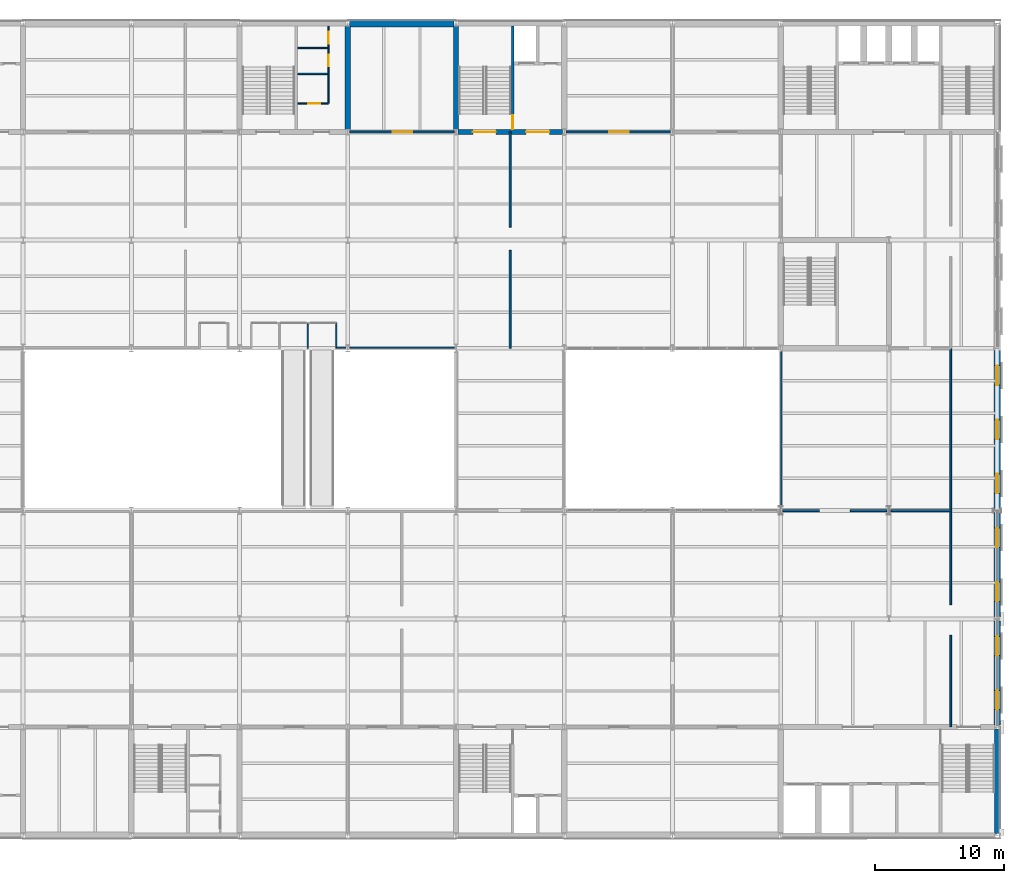
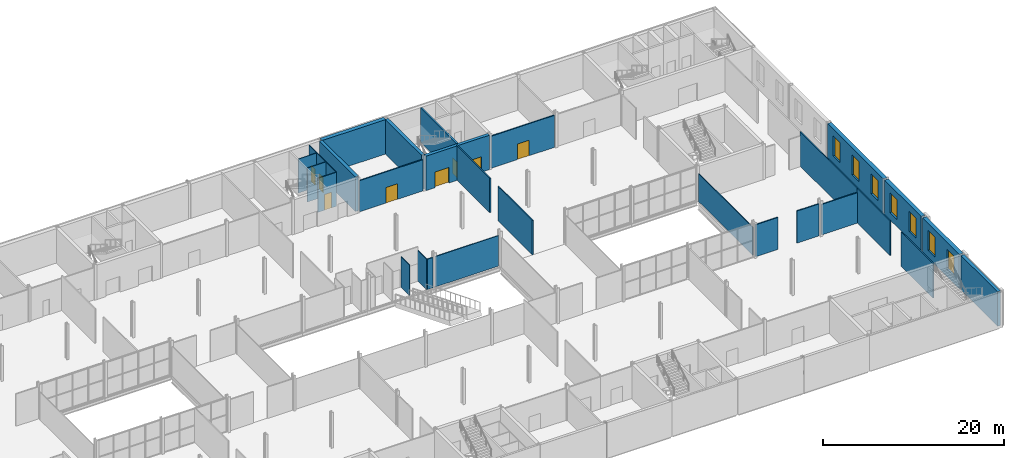
# One storey, part 33 of 52: 30 walls, 8 doors, 7 windows, 15 openings.
"""IFC4 building model written with IfcOpenShell, lengths in metres."""

from ifc_helpers import new_model, si_unit, direction, frame, frame_2d, origin, place, context, subcontext, project, spatial, rectangle, extrude, material, layer, layer_set, type_object, element, fill, save


model = new_model("IFC4")

# Units and contexts
model_context = context("Model", 3, precision=1e-05, world=origin(), true_north=direction((0.0, 1.0)))
body_context = subcontext(model_context, "Body", "Model", "MODEL_VIEW")
ifc_project = project(units=[si_unit("LENGTHUNIT", "METRE"), si_unit("AREAUNIT", "SQUARE_METRE"), si_unit("VOLUMEUNIT", "CUBIC_METRE"), si_unit("PLANEANGLEUNIT", "RADIAN"), si_unit("MASSUNIT", "GRAM", prefix="KILO")], contexts=[model_context])

# Site, building, storey
site_placement = place(None, origin())
site = spatial("IfcSite", under=ifc_project, at=site_placement, CompositionType="ELEMENT")
building_placement = place(site_placement, origin())
building = spatial("IfcBuilding", under=site, at=building_placement, Name="Galleria Vessillo Department Store", CompositionType="ELEMENT")
storey_placement = place(building_placement, frame((0.0, 0.0, 16.199951171875)))
storey = spatial("IfcBuildingStorey", under=building, at=storey_placement, Name="L03", CompositionType="ELEMENT", Elevation=16.199951171875)

# Walls
ifc_material_1 = material(Name="Fire-resisting glass in steel frame S355 J2", Category="steel")
ifc_layer_1 = layer(ifc_material_1, 0.10009765625)
ifc_layer_set_1 = layer_set([ifc_layer_1], Name="Fire-resisting glass in steel frame S355 J2")
wall_type_1 = type_object("IfcWallType", Name="Fire-resisting glazed screen EI 120-Sa 100 mm", PredefinedType="PARTITIONING", material=ifc_layer_set_1)
wall_1_placement = place(storey_placement, frame((66.349853515625, 37.85009765625, 0.0), z_axis=(0.0, 0.0, 1.0), x_axis=(1.0, 0.0, 0.0)))
element("IfcWall", 1, at=wall_1_placement, inside=storey, type_object=wall_type_1, Name="Fire screen, atrium edge L03", PredefinedType="PARTITIONING", context=body_context, shape_type="SweptSolid", body=[
    extrude(rectangle(XDim=0.697265625, YDim=0.10009765625, at=frame_2d((0.3486328125, 0.0))), origin(), (0.0, 0.0, 1.0), 4.110107421875),
])
wall_2_placement = place(storey_placement, frame((67.35302734375, 37.85009765625, 0.0), z_axis=(0.0, 0.0, 1.0), x_axis=(1.0, 0.0, 0.0)))
element("IfcWall", 2, at=wall_2_placement, inside=storey, type_object=wall_type_1, Name="Fire screen, atrium edge L03", PredefinedType="PARTITIONING", context=body_context, shape_type="SweptSolid", body=[
    extrude(rectangle(XDim=8.094482421875, YDim=0.10009765625, at=frame_2d((4.04736328125, 0.0))), origin(), (0.0, 0.0, 1.0), 4.110107421875),
])
wall_3_placement = place(storey_placement, frame((100.85009765625, 25.533935546875, 0.0), z_axis=(0.0, 0.0, 1.0), x_axis=(0.0, 1.0, 0.0)))
element("IfcWall", 3, at=wall_3_placement, inside=storey, type_object=wall_type_1, Name="Fire screen, arcade end L03", PredefinedType="PARTITIONING", context=body_context, shape_type="SweptSolid", body=[
    extrude(rectangle(XDim=12.027099609375, YDim=0.10009765625, at=frame_2d((6.013671875, 0.0))), origin(), (0.0, 0.0, 1.0), 3.760009765625),
])
wall_4_placement = place(storey_placement, frame((64.10009765625, 37.800048828125, 0.0), z_axis=(0.0, 0.0, 1.0), x_axis=(0.0, 1.0, 0.0)))
element("IfcWall", 4, at=wall_4_placement, inside=storey, type_object=wall_type_1, Name="Fire screen, landing alcove side L03", PredefinedType="PARTITIONING", context=body_context, shape_type="SweptSolid", body=[
    extrude(rectangle(XDim=1.89990234375, YDim=0.10009765625, at=frame_2d((0.949951171875, 0.0))), origin(), (0.0, 0.0, 1.0), 4.110107421875),
])
wall_5_placement = place(storey_placement, frame((66.2998046875, 37.800048828125, 0.0), z_axis=(0.0, 0.0, 1.0), x_axis=(0.0, 1.0, 0.0)))
element("IfcWall", 5, at=wall_5_placement, inside=storey, type_object=wall_type_1, Name="Fire screen, landing alcove side L03", PredefinedType="PARTITIONING", context=body_context, shape_type="SweptSolid", body=[
    extrude(rectangle(XDim=2.0, YDim=0.10009765625, at=frame_2d((1.0, 0.0))), origin(), (0.0, 0.0, 1.0), 4.110107421875),
])

# Wall, openings, windows
ifc_material_2 = material(Name="Reinforced masonry, limestone units 80 MPa", Category="masonry")
ifc_layer_2 = layer(ifc_material_2, 0.5)
ifc_layer_set_2 = layer_set([ifc_layer_2], Name="Reinforced masonry, limestone units 80 MPa")
wall_type_2 = type_object("IfcWallType", Name="Load-bearing limestone-faced wall 500 mm", PredefinedType="STANDARD", material=ifc_layer_set_2)
wall_6_placement = place(storey_placement, frame((117.60009765625, 8.5498046875, 0.0), z_axis=(0.0, 0.0, 1.0), x_axis=(0.0, 1.0, 0.0)))
wall_6 = element("IfcWall", 6, at=wall_6_placement, inside=storey, type_object=wall_type_2, Name="Load-bearing limestone-faced wall 500 mm SE-L03-01", PredefinedType="STANDARD", context=body_context, shape_type="SweptSolid", body=[
    extrude(rectangle(XDim=8.100341796875, YDim=0.5, at=frame_2d((4.05029296875, 0.0))), origin(), (0.0, 0.0, 1.0), 4.650146484375),
])
opening_1_placement = place(wall_6_placement, frame((1.2001953125, 0.0, 1.0)))
opening_1 = element("IfcOpeningElement", 7, at=opening_1_placement, cuts=wall_6, Name="Opening W028", PredefinedType="OPENING", context=body_context, shape_type="SweptSolid", body=[
    extrude(rectangle(XDim=1.5, YDim=2.699951171875, at=frame_2d((0.75, 1.35009765625))), frame((0.0, 0.260009765625, 0.0), z_axis=(0.0, -1.0, 0.0), x_axis=(1.0, 0.0, 0.0)), (0.0, 0.0, 1.0), 0.52001953125),
])
opening_2_placement = place(wall_6_placement, frame((5.400146484375, 0.0, 1.0)))
opening_2 = element("IfcOpeningElement", 8, at=opening_2_placement, cuts=wall_6, Name="Opening W029", PredefinedType="OPENING", context=body_context, shape_type="SweptSolid", body=[
    extrude(rectangle(XDim=1.5, YDim=2.699951171875, at=frame_2d((0.75, 1.35009765625))), frame((0.0, 0.260009765625, 0.0), z_axis=(0.0, -1.0, 0.0), x_axis=(1.0, 0.0, 0.0)), (0.0, 0.0, 1.0), 0.52001953125),
])
ifc_material_3 = material(Name="Aluminium frame with laminated glass 44.2", Category="aluminium")
window_type = type_object("IfcWindowType", Name="Second order window 1500 x 2700", PartitioningType="SINGLE_PANEL", PredefinedType="WINDOW", material=ifc_material_3)
window_1_placement = place(opening_1_placement, origin())
window_1 = element("IfcWindow", 9, at=window_1_placement, inside=storey, type_object=window_type, Name="E-WIN-SE-L03-01-028", OverallHeight=2.699951171875, OverallWidth=1.5, PartitioningType="SINGLE_PANEL", PredefinedType="WINDOW", context=body_context, shape_type="SweptSolid", body=[
    extrude(rectangle(XDim=1.5, YDim=2.699951171875, at=frame_2d((0.75, 1.35009765625))), frame((0.0, 0.030029296875, 0.0), z_axis=(0.0, -1.0, 0.0), x_axis=(1.0, 0.0, 0.0)), (0.0, 0.0, 1.0), 0.06005859375),
])
fill(opening_1, window_1)
window_2_placement = place(opening_2_placement, origin())
window_2 = element("IfcWindow", 10, at=window_2_placement, inside=storey, type_object=window_type, Name="E-WIN-SE-L03-01-029", OverallHeight=2.699951171875, OverallWidth=1.5, PartitioningType="SINGLE_PANEL", PredefinedType="WINDOW", context=body_context, shape_type="SweptSolid", body=[
    extrude(rectangle(XDim=1.5, YDim=2.699951171875, at=frame_2d((0.75, 1.35009765625))), frame((0.0, 0.030029296875, 0.0), z_axis=(0.0, -1.0, 0.0), x_axis=(1.0, 0.0, 0.0)), (0.0, 0.0, 1.0), 0.06005859375),
])
fill(opening_2, window_2)

wall_7_placement = place(storey_placement, frame((117.60009765625, 16.949951171875, 0.0), z_axis=(0.0, 0.0, 1.0), x_axis=(0.0, 1.0, 0.0)))
wall_7 = element("IfcWall", 11, at=wall_7_placement, inside=storey, type_object=wall_type_2, Name="Load-bearing limestone-faced wall 500 mm SE-L03-02", PredefinedType="STANDARD", context=body_context, shape_type="SweptSolid", body=[
    extrude(rectangle(XDim=8.097412109375, YDim=0.5, at=frame_2d((4.048828125, 0.0))), origin(), (0.0, 0.0, 1.0), 4.650146484375),
])
opening_3_placement = place(wall_7_placement, frame((1.199951171875, 0.0, 1.0)))
opening_3 = element("IfcOpeningElement", 12, at=opening_3_placement, cuts=wall_7, Name="Opening W030", PredefinedType="OPENING", context=body_context, shape_type="SweptSolid", body=[
    extrude(rectangle(XDim=1.5, YDim=2.699951171875, at=frame_2d((0.75, 1.35009765625))), frame((0.0, 0.260009765625, 0.0), z_axis=(0.0, -1.0, 0.0), x_axis=(1.0, 0.0, 0.0)), (0.0, 0.0, 1.0), 0.52001953125),
])
opening_4_placement = place(wall_7_placement, frame((5.400146484375, 0.0, 1.0)))
opening_4 = element("IfcOpeningElement", 13, at=opening_4_placement, cuts=wall_7, Name="Opening W031", PredefinedType="OPENING", context=body_context, shape_type="SweptSolid", body=[
    extrude(rectangle(XDim=1.5, YDim=2.699951171875, at=frame_2d((0.75, 1.35009765625))), frame((0.0, 0.260009765625, 0.0), z_axis=(0.0, -1.0, 0.0), x_axis=(1.0, 0.0, 0.0)), (0.0, 0.0, 1.0), 0.52001953125),
])
window_3_placement = place(opening_3_placement, origin())
window_3 = element("IfcWindow", 14, at=window_3_placement, inside=storey, type_object=window_type, Name="E-WIN-SE-L03-02-030", OverallHeight=2.699951171875, OverallWidth=1.5, PartitioningType="SINGLE_PANEL", PredefinedType="WINDOW", context=body_context, shape_type="SweptSolid", body=[
    extrude(rectangle(XDim=1.5, YDim=2.699951171875, at=frame_2d((0.75, 1.35009765625))), frame((0.0, 0.030029296875, 0.0), z_axis=(0.0, -1.0, 0.0), x_axis=(1.0, 0.0, 0.0)), (0.0, 0.0, 1.0), 0.06005859375),
])
fill(opening_3, window_3)
window_4_placement = place(opening_4_placement, origin())
window_4 = element("IfcWindow", 15, at=window_4_placement, inside=storey, type_object=window_type, Name="E-WIN-SE-L03-02-031", OverallHeight=2.699951171875, OverallWidth=1.5, PartitioningType="SINGLE_PANEL", PredefinedType="WINDOW", context=body_context, shape_type="SweptSolid", body=[
    extrude(rectangle(XDim=1.5, YDim=2.699951171875, at=frame_2d((0.75, 1.35009765625))), frame((0.0, 0.030029296875, 0.0), z_axis=(0.0, -1.0, 0.0), x_axis=(1.0, 0.0, 0.0)), (0.0, 0.0, 1.0), 0.06005859375),
])
fill(opening_4, window_4)

wall_8_placement = place(storey_placement, frame((117.60009765625, 25.3525390625, 0.0), z_axis=(0.0, 0.0, 1.0), x_axis=(0.0, 1.0, 0.0)))
wall_8 = element("IfcWall", 16, at=wall_8_placement, inside=storey, type_object=wall_type_2, Name="Load-bearing limestone-faced wall 500 mm SE-L03-03", PredefinedType="STANDARD", context=body_context, shape_type="SweptSolid", body=[
    extrude(rectangle(XDim=12.2939453125, YDim=0.5, at=frame_2d((6.14697265625, 0.0))), origin(), (0.0, 0.0, 1.0), 4.650146484375),
])
opening_5_placement = place(wall_8_placement, frame((1.197509765625, 0.0, 1.0)))
opening_5 = element("IfcOpeningElement", 17, at=opening_5_placement, cuts=wall_8, Name="Opening W032", PredefinedType="OPENING", context=body_context, shape_type="SweptSolid", body=[
    extrude(rectangle(XDim=1.5, YDim=2.699951171875, at=frame_2d((0.75, 1.35009765625))), frame((0.0, 0.260009765625, 0.0), z_axis=(0.0, -1.0, 0.0), x_axis=(1.0, 0.0, 0.0)), (0.0, 0.0, 1.0), 0.52001953125),
])
opening_6_placement = place(wall_8_placement, frame((5.3974609375, 0.0, 1.0)))
opening_6 = element("IfcOpeningElement", 18, at=opening_6_placement, cuts=wall_8, Name="Opening W033", PredefinedType="OPENING", context=body_context, shape_type="SweptSolid", body=[
    extrude(rectangle(XDim=1.5, YDim=2.699951171875, at=frame_2d((0.75, 1.35009765625))), frame((0.0, 0.260009765625, 0.0), z_axis=(0.0, -1.0, 0.0), x_axis=(1.0, 0.0, 0.0)), (0.0, 0.0, 1.0), 0.52001953125),
])
opening_7_placement = place(wall_8_placement, frame((9.597412109375, 0.0, 1.0)))
opening_7 = element("IfcOpeningElement", 19, at=opening_7_placement, cuts=wall_8, Name="Opening W034", PredefinedType="OPENING", context=body_context, shape_type="SweptSolid", body=[
    extrude(rectangle(XDim=1.5, YDim=2.699951171875, at=frame_2d((0.75, 1.35009765625))), frame((0.0, 0.260009765625, 0.0), z_axis=(0.0, -1.0, 0.0), x_axis=(1.0, 0.0, 0.0)), (0.0, 0.0, 1.0), 0.52001953125),
])
window_5_placement = place(opening_5_placement, origin())
window_5 = element("IfcWindow", 20, at=window_5_placement, inside=storey, type_object=window_type, Name="E-WIN-SE-L03-03-032", OverallHeight=2.699951171875, OverallWidth=1.5, PartitioningType="SINGLE_PANEL", PredefinedType="WINDOW", context=body_context, shape_type="SweptSolid", body=[
    extrude(rectangle(XDim=1.5, YDim=2.699951171875, at=frame_2d((0.75, 1.35009765625))), frame((0.0, 0.030029296875, 0.0), z_axis=(0.0, -1.0, 0.0), x_axis=(1.0, 0.0, 0.0)), (0.0, 0.0, 1.0), 0.06005859375),
])
fill(opening_5, window_5)
window_6_placement = place(opening_6_placement, origin())
window_6 = element("IfcWindow", 21, at=window_6_placement, inside=storey, type_object=window_type, Name="E-WIN-SE-L03-03-033", OverallHeight=2.699951171875, OverallWidth=1.5, PartitioningType="SINGLE_PANEL", PredefinedType="WINDOW", context=body_context, shape_type="SweptSolid", body=[
    extrude(rectangle(XDim=1.5, YDim=2.699951171875, at=frame_2d((0.75, 1.35009765625))), frame((0.0, 0.030029296875, 0.0), z_axis=(0.0, -1.0, 0.0), x_axis=(1.0, 0.0, 0.0)), (0.0, 0.0, 1.0), 0.06005859375),
])
fill(opening_6, window_6)
window_7_placement = place(opening_7_placement, origin())
window_7 = element("IfcWindow", 22, at=window_7_placement, inside=storey, type_object=window_type, Name="E-WIN-SE-L03-03-034", OverallHeight=2.699951171875, OverallWidth=1.5, PartitioningType="SINGLE_PANEL", PredefinedType="WINDOW", context=body_context, shape_type="SweptSolid", body=[
    extrude(rectangle(XDim=1.5, YDim=2.699951171875, at=frame_2d((0.75, 1.35009765625))), frame((0.0, 0.030029296875, 0.0), z_axis=(0.0, -1.0, 0.0), x_axis=(1.0, 0.0, 0.0)), (0.0, 0.0, 1.0), 0.06005859375),
])
fill(opening_7, window_7)

# Wall, openings, doors
ifc_material_4 = material(Name="Concrete C32/40 reinforced", Category="concrete")
ifc_layer_3 = layer(ifc_material_4, 0.39990234375)
ifc_layer_set_3 = layer_set([ifc_layer_3], Name="Concrete C32/40 reinforced")
wall_type_3 = type_object("IfcWallType", Name="Reinforced concrete core wall 400 mm", PredefinedType="SHEAR", material=ifc_layer_set_3)
wall_9_placement = place(storey_placement, frame((75.75, 54.60009765625, 0.0), z_axis=(0.0, 0.0, 1.0), x_axis=(1.0, 0.0, 0.0)))
wall_9 = element("IfcWall", 23, at=wall_9_placement, inside=storey, type_object=wall_type_3, Name="S-CW-PC-NE-INTERIOR-L03", PredefinedType="SHEAR", context=body_context, shape_type="SweptSolid", body=[
    extrude(rectangle(XDim=8.096435546875, YDim=0.39990234375, at=frame_2d((4.04833984375, 0.0))), origin(), (0.0, 0.0, 1.0), 4.650146484375),
])
opening_8_placement = place(wall_9_placement, frame((1.14990234375, 0.0, 0.0)))
opening_8 = element("IfcOpeningElement", 24, at=opening_8_placement, cuts=wall_9, Name="Opening D5179", PredefinedType="OPENING", context=body_context, shape_type="SweptSolid", body=[
    extrude(rectangle(XDim=1.800048828125, YDim=2.10009765625, at=frame_2d((0.89990234375, 1.050048828125))), frame((0.0, 0.2099609375, 0.0), z_axis=(0.0, -1.0, 0.0), x_axis=(1.0, 0.0, 0.0)), (0.0, 0.0, 1.0), 0.419921875),
])
opening_9_placement = place(wall_9_placement, frame((5.2998046875, 0.0, 0.0)))
opening_9 = element("IfcOpeningElement", 25, at=opening_9_placement, cuts=wall_9, Name="Opening D5180", PredefinedType="OPENING", context=body_context, shape_type="SweptSolid", body=[
    extrude(rectangle(XDim=1.800048828125, YDim=2.10009765625, at=frame_2d((0.89990234375, 1.050048828125))), frame((0.0, 0.2099609375, 0.0), z_axis=(0.0, -1.0, 0.0), x_axis=(1.0, 0.0, 0.0)), (0.0, 0.0, 1.0), 0.419921875),
])
ifc_material_5 = material(Name="Fire-rated steel door leaf", Category="steel")
door_type_1 = type_object("IfcDoorType", Name="Door D180F double leaf 1800 x 2100", OperationType="DOUBLE_DOOR_SINGLE_SWING", PredefinedType="DOOR", material=ifc_material_5)
door_1_placement = place(opening_8_placement, origin())
door_1 = element("IfcDoor", 26, at=door_1_placement, inside=storey, type_object=door_type_1, Name="Lobby door PC-NE-ST-FLOOR L03", OperationType="DOUBLE_DOOR_SINGLE_SWING", OverallHeight=2.10009765625, OverallWidth=1.800048828125, PredefinedType="DOOR", context=body_context, shape_type="SweptSolid", body=[
    extrude(rectangle(XDim=1.800048828125, YDim=2.10009765625, at=frame_2d((0.89990234375, 1.050048828125))), frame((0.0, 0.02490234375, 0.0), z_axis=(0.0, -1.0, 0.0), x_axis=(1.0, 0.0, 0.0)), (0.0, 0.0, 1.0), 0.050048828125),
])
fill(opening_8, door_1)
door_2_placement = place(opening_9_placement, origin())
door_2 = element("IfcDoor", 27, at=door_2_placement, inside=storey, type_object=door_type_1, Name="Lobby door PC-NE-LOBBY-FLOOR L03", OperationType="DOUBLE_DOOR_SINGLE_SWING", OverallHeight=2.10009765625, OverallWidth=1.800048828125, PredefinedType="DOOR", context=body_context, shape_type="SweptSolid", body=[
    extrude(rectangle(XDim=1.800048828125, YDim=2.10009765625, at=frame_2d((0.89990234375, 1.050048828125))), frame((0.0, 0.02490234375, 0.0), z_axis=(0.0, -1.0, 0.0), x_axis=(1.0, 0.0, 0.0)), (0.0, 0.0, 1.0), 0.050048828125),
])
fill(opening_9, door_2)

# Walls
for number, where, z_axis, x_axis, name in (
    (28, (75.60009765625, 54.800048828125, 0.0), (0.0, 0.0, 1.0), (0.0, 1.0, 0.0), "S-CW-PC-NE-WEST-L03"),
    (29, (67.199951171875, 54.800048828125, 0.0), (0.0, 0.0, 1.0), (0.0, 1.0, 0.0), "S-CW-PC-NC-EAST-L03"),
):
    element("IfcWall", number, at=place(storey_placement, frame(where, z_axis=z_axis, x_axis=x_axis)), inside=storey, type_object=wall_type_3, Name=name, PredefinedType="SHEAR", context=body_context, shape_type="SweptSolid", body=[
        extrude(rectangle(XDim=8.0, YDim=0.39990234375, at=frame_2d((4.0, 0.0))), origin(), (0.0, 0.0, 1.0), 4.650146484375),
    ])
ifc_material_6 = material(Name="Concrete C32/40 reinforced", Category="concrete")
ifc_layer_4 = layer(ifc_material_6, 0.39990234375)
ifc_layer_set_4 = layer_set([ifc_layer_4], Name="Concrete C32/40 reinforced")
wall_type_4 = type_object("IfcWallType", Name="Reinforced concrete core wall 400 mm, external", PredefinedType="SHEAR", material=ifc_layer_set_4)
wall_10_placement = place(storey_placement, frame((117.60009765625, 0.14990234375, 0.0), z_axis=(0.0, 0.0, 1.0), x_axis=(0.0, 1.0, 0.0)))
element("IfcWall", 30, at=wall_10_placement, inside=storey, type_object=wall_type_4, Name="S-CW-GC-EAST-L03", PredefinedType="SHEAR", context=body_context, shape_type="SweptSolid", body=[
    extrude(rectangle(XDim=8.10009765625, YDim=0.39990234375, at=frame_2d((4.050048828125, 0.0))), origin(), (0.0, 0.0, 1.0), 4.650146484375),
])
ifc_material_7 = material(Name="Concrete C32/40 reinforced", Category="concrete")
ifc_layer_5 = layer(ifc_material_7, 0.5)
ifc_layer_set_5 = layer_set([ifc_layer_5], Name="Concrete C32/40 reinforced")
wall_type_5 = type_object("IfcWallType", Name="Reinforced concrete party wall 500 mm", PredefinedType="SHEAR", material=ifc_layer_set_5)
wall_11_placement = place(storey_placement, frame((67.349853515625, 63.0, 0.0), z_axis=(0.0, 0.0, 1.0), x_axis=(1.0, 0.0, 0.0)))
element("IfcWall", 31, at=wall_11_placement, inside=storey, type_object=wall_type_5, Name="S-PN-L03-06", PredefinedType="SHEAR", context=body_context, shape_type="SweptSolid", body=[
    extrude(rectangle(XDim=8.100341796875, YDim=0.5, at=frame_2d((4.05029296875, 0.0))), origin(), (0.0, 0.0, 1.0), 4.650146484375),
])

# Wall, opening, door
ifc_material_8 = material(Name="Concrete C32/40 reinforced", Category="concrete")
ifc_layer_6 = layer(ifc_material_8, 0.199951171875)
ifc_layer_set_6 = layer_set([ifc_layer_6], Name="Concrete C32/40 reinforced")
wall_type_6 = type_object("IfcWallType", Name="Reinforced concrete stair enclosure wall 200 mm", PredefinedType="SHEAR", material=ifc_layer_set_6)
wall_12_placement = place(storey_placement, frame((80.0, 62.800048828125, 0.0), z_axis=(0.0, 0.0, 1.0), x_axis=(0.0, -1.0, 0.0)))
wall_12 = element("IfcWall", 32, at=wall_12_placement, inside=storey, type_object=wall_type_6, Name="Stair enclosure wall PC-NE L03", PredefinedType="SHEAR", context=body_context, shape_type="SweptSolid", body=[
    extrude(rectangle(XDim=8.0, YDim=0.199951171875, at=frame_2d((4.0, 0.0))), origin(), (0.0, 0.0, 1.0), 4.650146484375),
])
opening_10_placement = place(wall_12_placement, frame((6.89990234375, 0.0, 0.0)))
opening_10 = element("IfcOpeningElement", 33, at=opening_10_placement, cuts=wall_12, Name="Opening D5177", PredefinedType="OPENING", context=body_context, shape_type="SweptSolid", body=[
    extrude(rectangle(XDim=1.11009765625, YDim=2.10009765625, at=frame_2d((0.554931640625, 1.050048828125))), frame((0.0, 0.10986328125, 0.0), z_axis=(0.0, -1.0, 0.0), x_axis=(1.0, 0.0, 0.0)), (0.0, 0.0, 1.0), 0.219970703125),
])
ifc_material_9 = material(Name="Fire-rated steel door leaf", Category="steel")
door_type_2 = type_object("IfcDoorType", Name="Door D110F stair door 1100 x 2100", OperationType="SINGLE_SWING_LEFT", PredefinedType="DOOR", material=ifc_material_9)
door_3_placement = place(opening_10_placement, frame((1.10009765625, 0.0, 0.0), z_axis=(0.0, 0.0, 1.0), x_axis=(-1.0, 0.0, 0.0)))
door_3 = element("IfcDoor", 34, at=door_3_placement, inside=storey, type_object=door_type_2, Name="Stair door PC-NE-ST-LOBBY L03", OperationType="SINGLE_SWING_LEFT", OverallHeight=2.10009765625, OverallWidth=1.10009765625, PredefinedType="DOOR", context=body_context, shape_type="SweptSolid", body=[
    extrude(rectangle(XDim=1.10009765625, YDim=2.10009765625, at=frame_2d((0.550048828125, 1.050048828125))), frame((0.0, 0.02490234375, 0.0), z_axis=(0.0, -1.0, 0.0), x_axis=(1.0, 0.0, 0.0)), (0.0, 0.0, 1.0), 0.050048828125),
])
fill(opening_10, door_3)

# Walls
ifc_material_10 = material(Name="Gypsum board partition")
ifc_layer_7 = layer(ifc_material_10, 0.139892578125)
ifc_layer_set_7 = layer_set([ifc_layer_7], Name="Gypsum board partition")
wall_type_7 = type_object("IfcWallType", Name="Sales dividing wall 140 mm", PredefinedType="PARTITIONING", material=ifc_layer_set_7)
wall_13_placement = place(storey_placement, frame((100.95263671875, 25.199951171875, 0.0), z_axis=(0.0, 0.0, 1.0), x_axis=(1.0, 0.0, 0.0)))
element("IfcWall", 35, at=wall_13_placement, inside=storey, type_object=wall_type_7, Name="Partition wall PT3 on L03 no. 056", PredefinedType="PARTITIONING", context=body_context, shape_type="SweptSolid", body=[
    extrude(rectangle(XDim=2.849853515625, YDim=0.139892578125, at=frame_2d((1.4248046875, 0.0))), origin(), (0.0, 0.0, 1.0), 4.320068359375),
])
wall_14_placement = place(storey_placement, frame((106.20263671875, 25.199951171875, 0.0), z_axis=(0.0, 0.0, 1.0), x_axis=(1.0, 0.0, 0.0)))
element("IfcWall", 36, at=wall_14_placement, inside=storey, type_object=wall_type_7, Name="Partition wall PT3 on L03 no. 057", PredefinedType="PARTITIONING", context=body_context, shape_type="SweptSolid", body=[
    extrude(rectangle(XDim=2.8447265625, YDim=0.139892578125, at=frame_2d((1.42236328125, 0.0))), origin(), (0.0, 0.0, 1.0), 4.320068359375),
])
wall_15_placement = place(storey_placement, frame((109.3525390625, 25.199951171875, 0.0), z_axis=(0.0, 0.0, 1.0), x_axis=(1.0, 0.0, 0.0)))
element("IfcWall", 37, at=wall_15_placement, inside=storey, type_object=wall_type_7, Name="Partition wall PT3 on L03 no. 058", PredefinedType="PARTITIONING", context=body_context, shape_type="SweptSolid", body=[
    extrude(rectangle(XDim=4.6474609375, YDim=0.139892578125, at=frame_2d((2.32373046875, 0.0))), origin(), (0.0, 0.0, 1.0), 4.110107421875),
])
wall_16_placement = place(storey_placement, frame((114.0, 8.409912109375, 0.0), z_axis=(0.0, 0.0, 1.0), x_axis=(0.0, 1.0, 0.0)))
element("IfcWall", 38, at=wall_16_placement, inside=storey, type_object=wall_type_7, Name="Partition wall PT3 on L03 no. 059", PredefinedType="PARTITIONING", context=body_context, shape_type="SweptSolid", body=[
    extrude(rectangle(XDim=7.10009765625, YDim=0.139892578125, at=frame_2d((3.550048828125, 0.0))), origin(), (0.0, 0.0, 1.0), 4.650146484375),
])
wall_17_placement = place(storey_placement, frame((114.0, 17.909912109375, 0.0), z_axis=(0.0, 0.0, 1.0), x_axis=(0.0, 1.0, 0.0)))
element("IfcWall", 39, at=wall_17_placement, inside=storey, type_object=wall_type_7, Name="Partition wall PT3 on L03 no. 060", PredefinedType="PARTITIONING", context=body_context, shape_type="SweptSolid", body=[
    extrude(rectangle(XDim=7.2900390625, YDim=0.139892578125, at=frame_2d((3.64501953125, 0.0))), origin(), (0.0, 0.0, 1.0), 4.650146484375),
])
wall_18_placement = place(storey_placement, frame((79.800048828125, 37.800048828125, 0.0), z_axis=(0.0, 0.0, 1.0), x_axis=(0.0, 1.0, 0.0)))
element("IfcWall", 40, at=wall_18_placement, inside=storey, type_object=wall_type_7, Name="Partition wall PT3 on L03 no. 070", PredefinedType="PARTITIONING", context=body_context, shape_type="SweptSolid", body=[
    extrude(rectangle(XDim=7.599853515625, YDim=0.139892578125, at=frame_2d((3.7998046875, 0.0))), origin(), (0.0, 0.0, 1.0), 4.650146484375),
])
wall_19_placement = place(storey_placement, frame((79.800048828125, 47.199951171875, 0.0), z_axis=(0.0, 0.0, 1.0), x_axis=(0.0, 1.0, 0.0)))
element("IfcWall", 41, at=wall_19_placement, inside=storey, type_object=wall_type_7, Name="Partition wall PT3 on L03 no. 071", PredefinedType="PARTITIONING", context=body_context, shape_type="SweptSolid", body=[
    extrude(rectangle(XDim=7.39013671875, YDim=0.139892578125, at=frame_2d((3.695068359375, 0.0))), origin(), (0.0, 0.0, 1.0), 4.650146484375),
])
wall_20_placement = place(storey_placement, frame((114.0, 25.199951171875, 0.0), z_axis=(0.0, 0.0, 1.0), x_axis=(0.0, 1.0, 0.0)))
element("IfcWall", 42, at=wall_20_placement, inside=storey, type_object=wall_type_7, Name="Partition wall PT3 on L03 no. 078", PredefinedType="PARTITIONING", context=body_context, shape_type="SweptSolid", body=[
    extrude(rectangle(XDim=12.60009765625, YDim=0.139892578125, at=frame_2d((6.300048828125, 0.0))), origin(), (0.0, 0.0, 1.0), 4.650146484375),
])

# Wall, opening, door
ifc_material_11 = material(Name="Concrete blockwork", Category="masonry")
ifc_layer_8 = layer(ifc_material_11, 0.14990234375)
ifc_layer_set_8 = layer_set([ifc_layer_8], Name="Concrete blockwork")
wall_type_8 = type_object("IfcWallType", Name="Stockroom blockwork wall 150 mm", PredefinedType="SOLIDWALL", material=ifc_layer_set_8)
wall_21_placement = place(storey_placement, frame((67.349853515625, 54.60009765625, 0.0), z_axis=(0.0, 0.0, 1.0), x_axis=(1.0, 0.0, 0.0)))
wall_21 = element("IfcWall", 43, at=wall_21_placement, inside=storey, type_object=wall_type_8, Name="Partition wall PT4 on L03 no. 032", PredefinedType="SOLIDWALL", context=body_context, shape_type="SweptSolid", body=[
    extrude(rectangle(XDim=8.100341796875, YDim=0.14990234375, at=frame_2d((4.05029296875, 0.0))), origin(), (0.0, 0.0, 1.0), 4.210205078125),
])
opening_11_placement = place(wall_21_placement, frame((3.35009765625, 0.0, 0.0)))
opening_11 = element("IfcOpeningElement", 44, at=opening_11_placement, cuts=wall_21, Name="Opening D2521", PredefinedType="OPENING", context=body_context, shape_type="SweptSolid", body=[
    extrude(rectangle(XDim=1.5, YDim=2.10009765625, at=frame_2d((0.75, 1.050048828125))), frame((0.0, 0.0849609375, 0.0), z_axis=(0.0, -1.0, 0.0), x_axis=(1.0, 0.0, 0.0)), (0.0, 0.0, 1.0), 0.169921875),
])
ifc_material_12 = material(Name="Steel fire door leaf", Category="steel")
door_type_3 = type_object("IfcDoorType", Name="Stockroom fire door 1500 double leaf", OperationType="DOUBLE_DOOR_SINGLE_SWING", PredefinedType="DOOR", material=ifc_material_12)
door_4_placement = place(opening_11_placement, origin())
door_4 = element("IfcDoor", 45, at=door_4_placement, inside=storey, type_object=door_type_3, Name="Door D2521", OperationType="DOUBLE_DOOR_SINGLE_SWING", OverallHeight=2.10009765625, OverallWidth=1.5, PredefinedType="DOOR", context=body_context, shape_type="SweptSolid", body=[
    extrude(rectangle(XDim=1.5, YDim=2.10009765625, at=frame_2d((0.75, 1.050048828125))), frame((0.0, 0.02490234375, 0.0), z_axis=(0.0, -1.0, 0.0), x_axis=(1.0, 0.0, 0.0)), (0.0, 0.0, 1.0), 0.050048828125),
])
fill(opening_11, door_4)

wall_22_placement = place(storey_placement, frame((84.153564453125, 54.60009765625, 0.0), z_axis=(0.0, 0.0, 1.0), x_axis=(1.0, 0.0, 0.0)))
wall_22 = element("IfcWall", 46, at=wall_22_placement, inside=storey, type_object=wall_type_8, Name="Partition wall PT4 on L03 no. 034", PredefinedType="SOLIDWALL", context=body_context, shape_type="SweptSolid", body=[
    extrude(rectangle(XDim=8.0927734375, YDim=0.14990234375, at=frame_2d((4.04638671875, 0.0))), origin(), (0.0, 0.0, 1.0), 4.320068359375),
])
opening_12_placement = place(wall_22_placement, frame((3.35009765625, 0.0, 0.0)))
opening_12 = element("IfcOpeningElement", 47, at=opening_12_placement, cuts=wall_22, Name="Opening D2522", PredefinedType="OPENING", context=body_context, shape_type="SweptSolid", body=[
    extrude(rectangle(XDim=1.5, YDim=2.10009765625, at=frame_2d((0.75, 1.050048828125))), frame((0.0, 0.0849609375, 0.0), z_axis=(0.0, -1.0, 0.0), x_axis=(1.0, 0.0, 0.0)), (0.0, 0.0, 1.0), 0.169921875),
])
door_5_placement = place(opening_12_placement, origin())
door_5 = element("IfcDoor", 48, at=door_5_placement, inside=storey, type_object=door_type_3, Name="Door D2522", OperationType="DOUBLE_DOOR_SINGLE_SWING", OverallHeight=2.10009765625, OverallWidth=1.5, PredefinedType="DOOR", context=body_context, shape_type="SweptSolid", body=[
    extrude(rectangle(XDim=1.5, YDim=2.10009765625, at=frame_2d((0.75, 1.050048828125))), frame((0.0, 0.02490234375, 0.0), z_axis=(0.0, -1.0, 0.0), x_axis=(1.0, 0.0, 0.0)), (0.0, 0.0, 1.0), 0.050048828125),
])
fill(opening_12, door_5)

ifc_material_13 = material(Name="Moisture-resistant board partition")
ifc_layer_9 = layer(ifc_material_13, 0.10009765625)
ifc_layer_set_9 = layer_set([ifc_layer_9], Name="Moisture-resistant board partition")
wall_type_9 = type_object("IfcWallType", Name="WC and cubicle partition 100 mm", PredefinedType="PARTITIONING", material=ifc_layer_set_9)
wall_23_placement = place(storey_placement, frame((63.300048828125, 56.800048828125, 0.0), z_axis=(0.0, 0.0, 1.0), x_axis=(1.0, 0.0, 0.0)))
wall_23 = element("IfcWall", 49, at=wall_23_placement, inside=storey, type_object=wall_type_9, Name="Partition wall PT1 on L03 no. 007", PredefinedType="PARTITIONING", context=body_context, shape_type="SweptSolid", body=[
    extrude(rectangle(XDim=2.39990234375, YDim=0.10009765625, at=frame_2d((1.199951171875, 0.0))), origin(), (0.0, 0.0, 1.0), 4.580078125),
])
opening_13_placement = place(wall_23_placement, frame((0.85009765625, 0.0, 0.0)))
opening_13 = element("IfcOpeningElement", 50, at=opening_13_placement, cuts=wall_23, Name="Opening D2504", PredefinedType="OPENING", context=body_context, shape_type="SweptSolid", body=[
    extrude(rectangle(XDim=0.89990234375, YDim=2.10009765625, at=frame_2d((0.449951171875, 1.050048828125))), frame((0.0, 0.06005859375, 0.0), z_axis=(0.0, -1.0, 0.0), x_axis=(1.0, 0.0, 0.0)), (0.0, 0.0, 1.0), 0.1201171875),
])
ifc_material_14 = material(Name="Timber and glass door leaf", Category="wood")
door_type_4 = type_object("IfcDoorType", Name="Floor door 900 single leaf", OperationType="SINGLE_SWING_LEFT", PredefinedType="DOOR", material=ifc_material_14)
door_6_placement = place(opening_13_placement, frame((0.89990234375, 0.0, 0.0), z_axis=(0.0, 0.0, 1.0), x_axis=(-1.0, 0.0, 0.0)))
door_6 = element("IfcDoor", 51, at=door_6_placement, inside=storey, type_object=door_type_4, Name="Door D2504", OperationType="SINGLE_SWING_RIGHT", OverallHeight=2.10009765625, OverallWidth=0.89990234375, PredefinedType="DOOR", context=body_context, shape_type="SweptSolid", body=[
    extrude(rectangle(XDim=0.89990234375, YDim=2.10009765625, at=frame_2d((0.449951171875, 1.050048828125))), frame((0.0, 0.02490234375, 0.0), z_axis=(0.0, -1.0, 0.0), x_axis=(1.0, 0.0, 0.0)), (0.0, 0.0, 1.0), 0.050048828125),
])
fill(opening_13, door_6)

# Wall
wall_24_placement = place(storey_placement, frame((65.699951171875, 56.800048828125, 0.0), z_axis=(0.0, 0.0, 1.0), x_axis=(0.0, 1.0, 0.0)))
element("IfcWall", 52, at=wall_24_placement, inside=storey, type_object=wall_type_9, Name="Partition wall PT1 on L03 no. 008", PredefinedType="PARTITIONING", context=body_context, shape_type="SweptSolid", body=[
    extrude(rectangle(XDim=2.300048828125, YDim=0.10009765625, at=frame_2d((1.14990234375, 0.0))), origin(), (0.0, 0.0, 1.0), 4.580078125),
])

# Wall, opening, door
wall_25_placement = place(storey_placement, frame((65.699951171875, 59.10009765625, 0.0), z_axis=(0.0, 0.0, 1.0), x_axis=(0.0, 1.0, 0.0)))
wall_25 = element("IfcWall", 53, at=wall_25_placement, inside=storey, type_object=wall_type_9, Name="Partition wall PT1 on L03 no. 009", PredefinedType="PARTITIONING", context=body_context, shape_type="SweptSolid", body=[
    extrude(rectangle(XDim=2.0, YDim=0.10009765625, at=frame_2d((1.0, 0.0))), origin(), (0.0, 0.0, 1.0), 4.580078125),
])
opening_14_placement = place(wall_25_placement, frame((0.60009765625, 0.0, 0.0)))
opening_14 = element("IfcOpeningElement", 54, at=opening_14_placement, cuts=wall_25, Name="Opening D2505", PredefinedType="OPENING", context=body_context, shape_type="SweptSolid", body=[
    extrude(rectangle(XDim=0.89990234375, YDim=2.10009765625, at=frame_2d((0.449951171875, 1.050048828125))), frame((0.0, 0.06005859375, 0.0), z_axis=(0.0, -1.0, 0.0), x_axis=(1.0, 0.0, 0.0)), (0.0, 0.0, 1.0), 0.1201171875),
])
door_7_placement = place(opening_14_placement, frame((0.89990234375, 0.0, 0.0), z_axis=(0.0, 0.0, 1.0), x_axis=(-1.0, 0.0, 0.0)))
door_7 = element("IfcDoor", 55, at=door_7_placement, inside=storey, type_object=door_type_4, Name="Door D2505", OperationType="SINGLE_SWING_RIGHT", OverallHeight=2.10009765625, OverallWidth=0.89990234375, PredefinedType="DOOR", context=body_context, shape_type="SweptSolid", body=[
    extrude(rectangle(XDim=0.89990234375, YDim=2.10009765625, at=frame_2d((0.449951171875, 1.050048828125))), frame((0.0, 0.02490234375, 0.0), z_axis=(0.0, -1.0, 0.0), x_axis=(1.0, 0.0, 0.0)), (0.0, 0.0, 1.0), 0.050048828125),
])
fill(opening_14, door_7)

wall_26_placement = place(storey_placement, frame((65.699951171875, 61.10009765625, 0.0), z_axis=(0.0, 0.0, 1.0), x_axis=(0.0, 1.0, 0.0)))
wall_26 = element("IfcWall", 56, at=wall_26_placement, inside=storey, type_object=wall_type_9, Name="Partition wall PT1 on L03 no. 010", PredefinedType="PARTITIONING", context=body_context, shape_type="SweptSolid", body=[
    extrude(rectangle(XDim=1.699951171875, YDim=0.10009765625, at=frame_2d((0.85009765625, 0.0))), origin(), (0.0, 0.0, 1.0), 4.580078125),
])
opening_15_placement = place(wall_26_placement, frame((0.35009765625, 0.0, 0.0)))
opening_15 = element("IfcOpeningElement", 57, at=opening_15_placement, cuts=wall_26, Name="Opening D2506", PredefinedType="OPENING", context=body_context, shape_type="SweptSolid", body=[
    extrude(rectangle(XDim=0.89990234375, YDim=2.10009765625, at=frame_2d((0.449951171875, 1.050048828125))), frame((0.0, 0.06005859375, 0.0), z_axis=(0.0, -1.0, 0.0), x_axis=(1.0, 0.0, 0.0)), (0.0, 0.0, 1.0), 0.1201171875),
])
ifc_material_15 = material(Name="Timber and glass door leaf", Category="wood")
door_type_5 = type_object("IfcDoorType", Name="Accessible WC door 900 sliding", OperationType="SLIDING_TO_LEFT", PredefinedType="DOOR", material=ifc_material_15)
door_8_placement = place(opening_15_placement, origin())
door_8 = element("IfcDoor", 58, at=door_8_placement, inside=storey, type_object=door_type_5, Name="Door D2506", OperationType="SLIDING_TO_RIGHT", OverallHeight=2.10009765625, OverallWidth=0.89990234375, PredefinedType="DOOR", context=body_context, shape_type="SweptSolid", body=[
    extrude(rectangle(XDim=0.89990234375, YDim=2.10009765625, at=frame_2d((0.449951171875, 1.050048828125))), frame((0.0, 0.02490234375, 0.0), z_axis=(0.0, -1.0, 0.0), x_axis=(1.0, 0.0, 0.0)), (0.0, 0.0, 1.0), 0.050048828125),
])
fill(opening_15, door_8)

# Walls
for number, where, z_axis, x_axis, name in (
    (59, (63.300048828125, 59.10009765625, 0.0), (0.0, 0.0, 1.0), (1.0, 0.0, 0.0), "Partition wall PT1 on L03 no. 011"),
    (60, (63.300048828125, 61.10009765625, 0.0), (0.0, 0.0, 1.0), (1.0, 0.0, 0.0), "Partition wall PT1 on L03 no. 012"),
):
    element("IfcWall", number, at=place(storey_placement, frame(where, z_axis=z_axis, x_axis=x_axis)), inside=storey, type_object=wall_type_9, Name=name, PredefinedType="PARTITIONING", context=body_context, shape_type="SweptSolid", body=[
        extrude(rectangle(XDim=2.39990234375, YDim=0.10009765625, at=frame_2d((1.199951171875, 0.0))), origin(), (0.0, 0.0, 1.0), 4.580078125),
    ])

save(model, "model.ifc")
